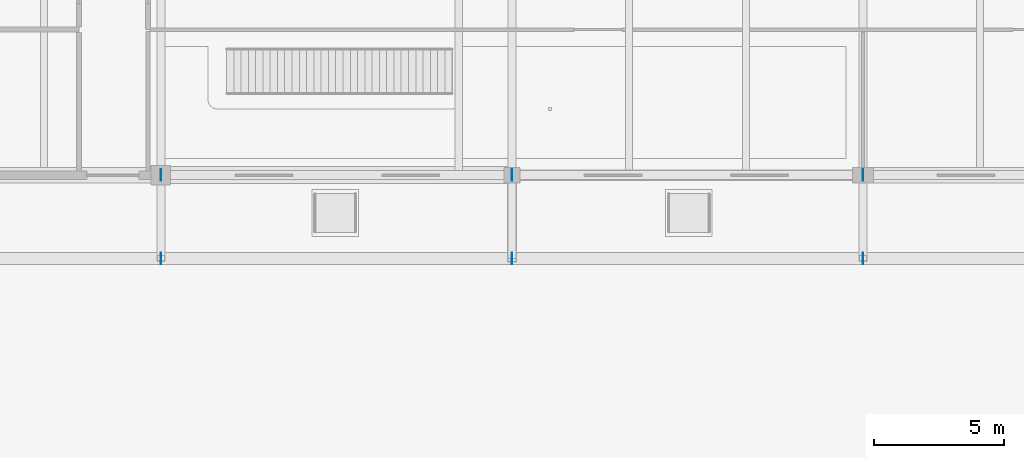
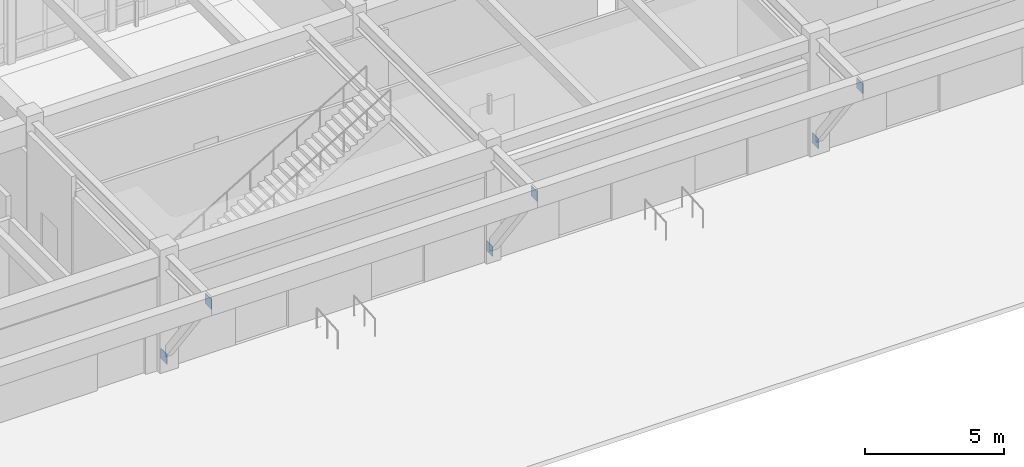
# One storey, part 104 of 138: 6 plates.
"""IFC4 building model written with IfcOpenShell, lengths in metres."""

from ifc_helpers import new_model, si_unit, direction, frame, origin, origin_2d, place, context, subcontext, project, spatial, rectangle, extrude, material, layer, layer_set, type_object, element, save


model = new_model("IFC4")

# Units and contexts
model_context = context("Model", 3, precision=1e-05, world=origin(), true_north=direction((0.0, 1.0)))
body_context = subcontext(model_context, "Body", "Model", "MODEL_VIEW")
ifc_project = project(units=[si_unit("LENGTHUNIT", "METRE"), si_unit("AREAUNIT", "SQUARE_METRE"), si_unit("VOLUMEUNIT", "CUBIC_METRE"), si_unit("PLANEANGLEUNIT", "RADIAN"), si_unit("MASSUNIT", "GRAM", prefix="KILO")], contexts=[model_context])

# Site, building, storey
site_placement = place(None, origin())
site = spatial("IfcSite", under=ifc_project, at=site_placement, CompositionType="ELEMENT")
building_placement = place(site_placement, origin())
building = spatial("IfcBuilding", under=site, at=building_placement, Name="Fikremerkos Civic Library", CompositionType="ELEMENT")
storey_placement = place(building_placement, origin())
storey = spatial("IfcBuildingStorey", under=building, at=storey_placement, Name="L00", CompositionType="ELEMENT", Elevation=0.0)

# Plates
ifc_material = material(Name="Steel S355", Category="steel")
ifc_layer = layer(ifc_material, 0.030029296875, Name="Steel S355")
ifc_layer_set = layer_set([ifc_layer], Name="Steel S355")
plate_type = type_object("IfcPlateType", Name="Steel gusset cap plate GSP-01 440x440x30", PredefinedType="USERDEFINED", material=ifc_layer_set)
for number, where, z_axis, x_axis, name in (
    (1, (32.699951171875, 12.0, 0.179931640625), (0.0, 0.0, 1.0), (1.0, 0.0, 0.0), "Steel gusset cap plate GSP-01 #1"),
    (2, (32.699951171875, 8.800048828125, 4.534912109375), (0.0, 0.0, 1.0), (1.0, 0.0, 0.0), "Steel gusset cap plate GSP-01 #2"),
    (3, (46.199951171875, 12.0, 0.179931640625), (0.0, 0.0, 1.0), (1.0, 0.0, 0.0), "Steel gusset cap plate GSP-01 #7"),
    (4, (46.199951171875, 8.800048828125, 4.534912109375), (0.0, 0.0, 1.0), (1.0, 0.0, 0.0), "Steel gusset cap plate GSP-01 #8"),
    (5, (59.699951171875, 12.0, 0.179931640625), (0.0, 0.0, 1.0), (1.0, 0.0, 0.0), "Steel gusset cap plate GSP-01 #13"),
    (6, (59.699951171875, 8.800048828125, 4.534912109375), (0.0, 0.0, 1.0), (1.0, 0.0, 0.0), "Steel gusset cap plate GSP-01 #14"),
):
    element("IfcPlate", number, at=place(storey_placement, frame(where, z_axis=z_axis, x_axis=x_axis)), inside=storey, type_object=plate_type, Name=name, ObjectType="GUSSET PLATE", PredefinedType="USERDEFINED", context=body_context, shape_type="SweptSolid", body=[
        extrude(rectangle(XDim=0.030029296875, YDim=0.43994140625, at=origin_2d()), origin(), (0.0, 0.0, 1.0), 0.43994140625),
    ])

save(model, "model.ifc")
